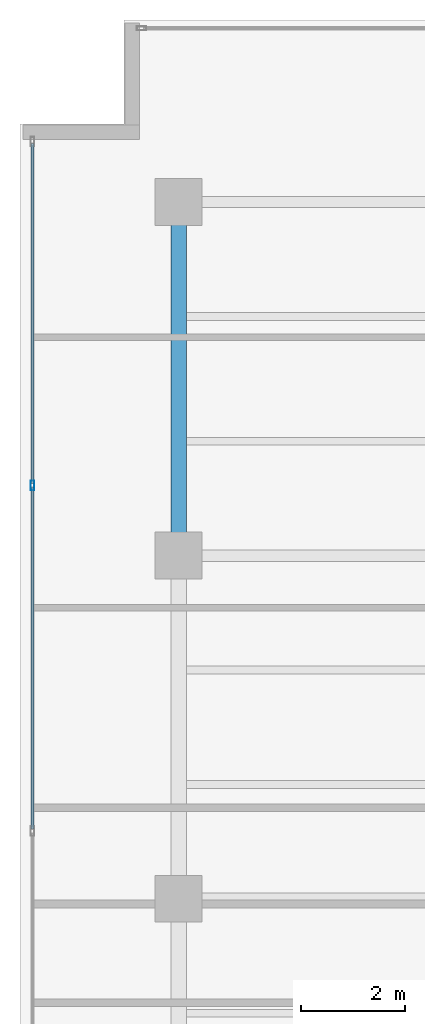
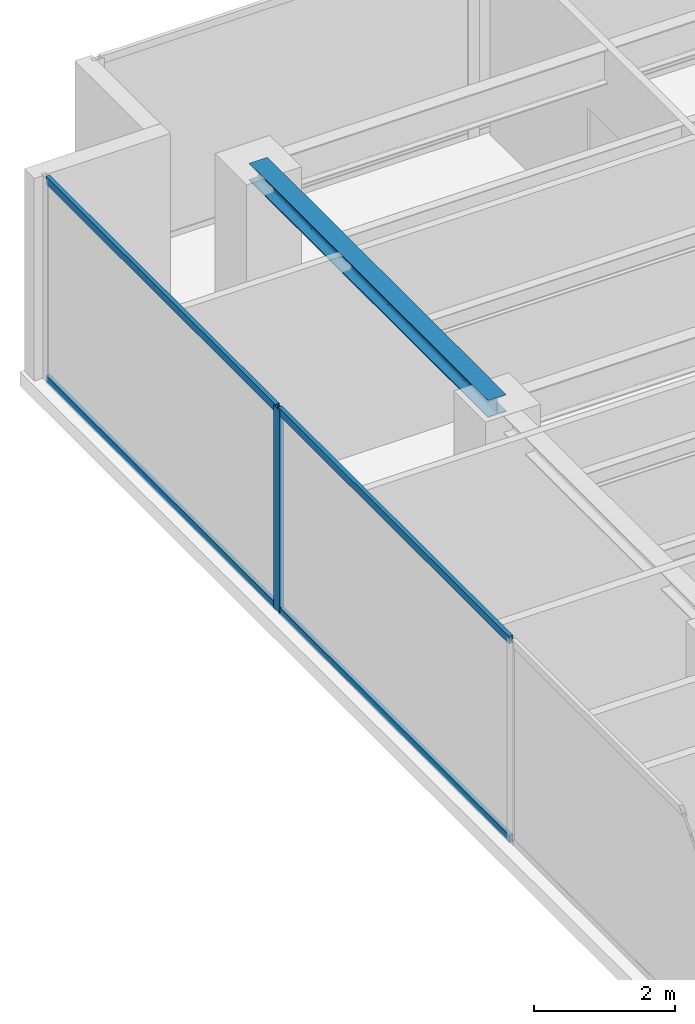
# One storey, part 20 of 32: 5 members, 1 beam, 1 element without a shape of its own.
"""IFC4 building model written with IfcOpenShell, lengths in metres."""

from ifc_helpers import new_model, si_unit, direction, frame, origin, origin_with_axes, origin_2d, place, context, subcontext, project, spatial, hollow_rectangle, i_section, extrude, source, transform, mapped, material, layer, layer_set, material_profile, profile_set, type_object, element, aggregate, save


model = new_model("IFC4")

# Units and contexts
model_context = context("Model", 3, precision=1e-05, world=origin(), true_north=direction((0.0, 1.0)))
body_context = subcontext(model_context, "Body", "Model", "MODEL_VIEW")
ifc_project = project(units=[si_unit("LENGTHUNIT", "METRE"), si_unit("AREAUNIT", "SQUARE_METRE"), si_unit("VOLUMEUNIT", "CUBIC_METRE"), si_unit("PLANEANGLEUNIT", "RADIAN"), si_unit("MASSUNIT", "GRAM", prefix="KILO")], contexts=[model_context])

# Site, building, storey
site_placement = place(None, origin())
site = spatial("IfcSite", under=ifc_project, at=site_placement, CompositionType="ELEMENT")
building_placement = place(site_placement, origin())
building = spatial("IfcBuilding", under=site, at=building_placement, Name="Kolvaren Waterfront Exchange", CompositionType="ELEMENT")
storey_placement = place(building_placement, frame((0.0, 0.0, 348.10009765625)))
storey = spatial("IfcBuildingStorey", under=building, at=storey_placement, Name="L89", CompositionType="ELEMENT", Elevation=348.10009765625)

# Beam
ifc_material_1 = material(Name="Steel S355", Category="steel")
ifc_material_profile_1 = material_profile(ifc_material_1, i_section(OverallWidth=0.300048828125, OverallDepth=0.300048828125, WebThickness=0.010986328125, FlangeThickness=0.01904296875, FilletRadius=0.027099609375, at=origin_2d()), Name="HEB300")
ifc_profile_set_1 = profile_set([ifc_material_profile_1], Name="Steel S355")
beam_type = type_object("IfcBeamType", Name="STR-BM-HEB300", PredefinedType="SPANDREL", material=ifc_profile_set_1)
beam_placement = place(storey_placement, frame((7.449951171875, 37.800048828125, 3.369873046875), z_axis=(0.0, 1.0, 0.0), x_axis=(-1.0, 0.0, 0.0)))
element("IfcBeam", 1, at=beam_placement, inside=storey, type_object=beam_type, Name="L89 north-arm edge beam 3", PredefinedType="SPANDREL", context=body_context, shape_type="SweptSolid", body=[
    extrude(i_section(OverallWidth=0.300048828125, OverallDepth=0.300048828125, WebThickness=0.010986328125, FlangeThickness=0.01904296875, FilletRadius=0.027099609375, at=origin_2d()), origin(), (0.0, 0.0, 1.0), 6.800048828125),
])

# Curtain wall, members
ifc_material_2 = material(Name="Anodised bronze aluminium 6063-T6", Category="aluminium")
ifc_layer = layer(ifc_material_2, 0.219970703125, Name="Anodised bronze aluminium 6063-T6")
ifc_layer_set = layer_set([ifc_layer], Name="Anodised bronze aluminium 6063-T6")
curtain_wall_type = type_object("IfcCurtainWallType", Name="ARC-CW-SYS5", PredefinedType="USERDEFINED", material=ifc_layer_set)
curtain_wall_placement = place(storey_placement, origin())
curtain_wall = element("IfcCurtainWall", 2, at=curtain_wall_placement, inside=storey, type_object=curtain_wall_type, Name="L89 stick curtain wall CW5 (CW-L89-W)", ObjectType="STICK CURTAIN WALL", PredefinedType="USERDEFINED")
ifc_material_profile_2 = material_profile(ifc_material_2, hollow_rectangle(XDim=0.06494140625, YDim=0.1298828125, WallThickness=0.00390625, at=origin_2d()), Name="ALU-TRN-130x65x4")
ifc_profile_set_2 = profile_set([ifc_material_profile_2], Name="Anodised bronze aluminium 6063-T6")
member_type_1 = type_object("IfcMemberType", Name="ARC-CWT-130", PredefinedType="USERDEFINED", material=ifc_profile_set_2)
shared_shape_1 = source(origin_with_axes(), body_context, "Body", "SweptSolid", [
    extrude(hollow_rectangle(XDim=0.06494140625, YDim=0.1298828125, WallThickness=0.00390625, at=origin_2d()), origin(), (0.0, 0.0, 1.0), 6.574951171875),
])
member_1_placement = place(storey_placement, frame((4.639892578125, 32.53759765625, 0.032470703125), z_axis=(0.0, 1.0, 0.0), x_axis=(-1.0, 0.0, 0.0)))
member_1 = element("IfcMember", 3, at=member_1_placement, type_object=member_type_1, Name="CW5 transom 5.1", ObjectType="TRANSOM", PredefinedType="USERDEFINED", context=body_context, shape_type="MappedRepresentation", body=[
    mapped(shared_shape_1, transform((0.0, 0.0, 0.0), x_axis=(1.0, 0.0, 0.0), y_axis=(0.0, 1.0, 0.0), z_axis=(0.0, 0.0, 1.0), scale=1.0)),
])
member_2_placement = place(storey_placement, frame((4.639892578125, 32.53759765625, 3.4873046875), z_axis=(0.0, 1.0, 0.0), x_axis=(-1.0, 0.0, 0.0)))
member_2 = element("IfcMember", 4, at=member_2_placement, type_object=member_type_1, Name="CW5 transom 5.2", ObjectType="TRANSOM", PredefinedType="USERDEFINED", context=body_context, shape_type="MappedRepresentation", body=[
    mapped(shared_shape_1, transform((0.0, 0.0, 0.0), x_axis=(1.0, 0.0, 0.0), y_axis=(0.0, 1.0, 0.0), z_axis=(0.0, 0.0, 1.0), scale=1.0)),
])
shared_shape_2 = source(origin_with_axes(), body_context, "Body", "SweptSolid", [
    extrude(hollow_rectangle(XDim=0.06494140625, YDim=0.1298828125, WallThickness=0.00390625, at=origin_2d()), origin(), (0.0, 0.0, 1.0), 6.53759765625),
])
member_3_placement = place(storey_placement, frame((4.639892578125, 39.1875, 0.032470703125), z_axis=(0.0, 1.0, 0.0), x_axis=(-1.0, 0.0, 0.0)))
member_3 = element("IfcMember", 5, at=member_3_placement, type_object=member_type_1, Name="CW5 transom 6.1", ObjectType="TRANSOM", PredefinedType="USERDEFINED", context=body_context, shape_type="MappedRepresentation", body=[
    mapped(shared_shape_2, transform((0.0, 0.0, 0.0), x_axis=(1.0, 0.0, 0.0), y_axis=(0.0, 1.0, 0.0), z_axis=(0.0, 0.0, 1.0), scale=1.0)),
])
member_4_placement = place(storey_placement, frame((4.639892578125, 39.1875, 3.4873046875), z_axis=(0.0, 1.0, 0.0), x_axis=(-1.0, 0.0, 0.0)))
member_4 = element("IfcMember", 6, at=member_4_placement, type_object=member_type_1, Name="CW5 transom 6.2", ObjectType="TRANSOM", PredefinedType="USERDEFINED", context=body_context, shape_type="MappedRepresentation", body=[
    mapped(shared_shape_2, transform((0.0, 0.0, 0.0), x_axis=(1.0, 0.0, 0.0), y_axis=(0.0, 1.0, 0.0), z_axis=(0.0, 0.0, 1.0), scale=1.0)),
])
ifc_material_profile_3 = material_profile(ifc_material_2, hollow_rectangle(XDim=0.074951171875, YDim=0.179931640625, WallThickness=0.00439453125, at=origin_2d()), Name="ALU-MUL-180x75x4.5")
ifc_profile_set_3 = profile_set([ifc_material_profile_3], Name="Anodised bronze aluminium 6063-T6")
member_type_2 = type_object("IfcMemberType", Name="ARC-CWM-180", PredefinedType="MULLION", material=ifc_profile_set_3)
shared_shape_3 = source(origin_with_axes(), body_context, "Body", "SweptSolid", [
    extrude(hollow_rectangle(XDim=0.074951171875, YDim=0.179931640625, WallThickness=0.00439453125, at=origin_2d()), origin(), (0.0, 0.0, 1.0), 3.52001953125),
])
member_5_placement = place(storey_placement, frame((4.639892578125, 39.14990234375, 0.0), z_axis=(0.0, 0.0, 1.0), x_axis=(-1.0, 0.0, 0.0)))
member_5 = element("IfcMember", 7, at=member_5_placement, type_object=member_type_2, Name="CW5 mullion 6", PredefinedType="MULLION", context=body_context, shape_type="MappedRepresentation", body=[
    mapped(shared_shape_3, transform((0.0, 0.0, 0.0), x_axis=(1.0, 0.0, 0.0), y_axis=(0.0, 1.0, 0.0), z_axis=(0.0, 0.0, 1.0), scale=1.0)),
])
aggregate(curtain_wall, [member_5, member_1, member_2, member_3, member_4])

save(model, "model.ifc")
